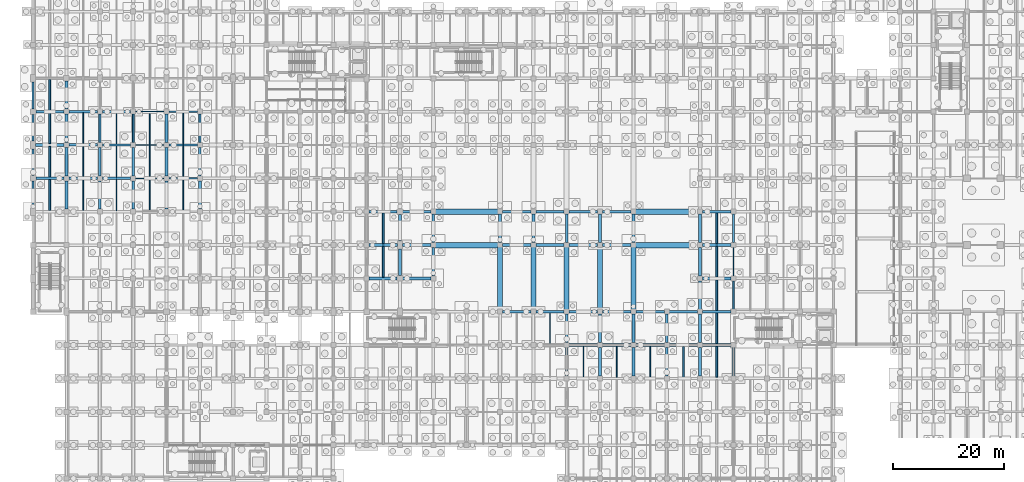
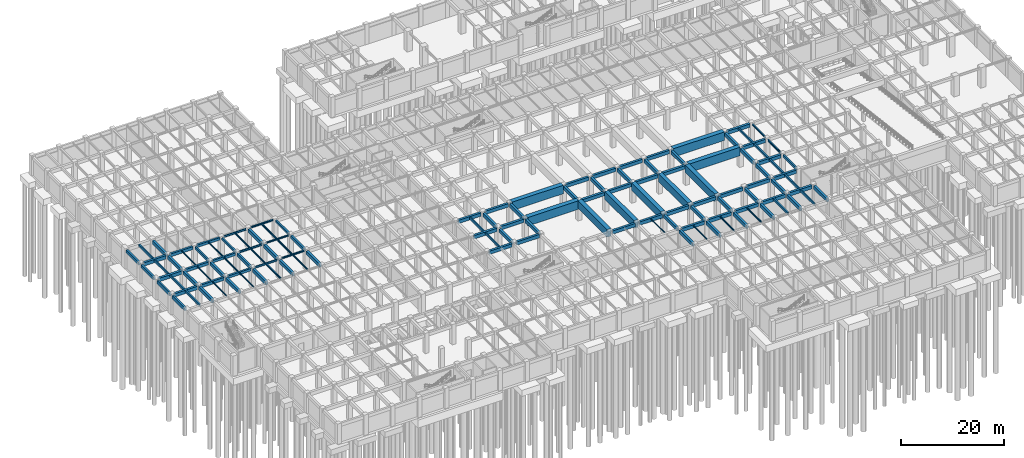
# One storey, part 29 of 54: 127 beams.
"""IFC4 building model written with IfcOpenShell, lengths in metres."""

from ifc_helpers import new_model, si_unit, direction, frame, origin, origin_2d, place, context, subcontext, project, spatial, rectangle, i_section, extrude, material, material_profile, profile_set, type_object, element, save


model = new_model("IFC4")

# Units and contexts
model_context = context("Model", 3, precision=1e-05, world=origin(), true_north=direction((0.0, 1.0)))
body_context = subcontext(model_context, "Body", "Model", "MODEL_VIEW")
ifc_project = project(units=[si_unit("LENGTHUNIT", "METRE"), si_unit("AREAUNIT", "SQUARE_METRE"), si_unit("VOLUMEUNIT", "CUBIC_METRE"), si_unit("PLANEANGLEUNIT", "RADIAN"), si_unit("MASSUNIT", "GRAM", prefix="KILO"), si_unit("THERMODYNAMICTEMPERATUREUNIT", "KELVIN"), si_unit("POWERUNIT", "WATT")], contexts=[model_context])

# Site, building, storey
site_placement = place(None, origin())
site = spatial("IfcSite", under=ifc_project, at=site_placement, CompositionType="ELEMENT")
building_placement = place(site_placement, origin())
building = spatial("IfcBuilding", under=site, at=building_placement, Name="Phaisarnlok Congress Hotel", CompositionType="ELEMENT")
storey_placement = place(building_placement, frame((0.0, 0.0, -4.800048828125)))
storey = spatial("IfcBuildingStorey", under=building, at=storey_placement, Name="B01", CompositionType="ELEMENT", Elevation=-4.800048828125)

# Beams
ifc_material_1 = material(Name="Concrete C40/50", Category="concrete")
ifc_material_profile_1 = material_profile(ifc_material_1, rectangle(XDim=0.35009765625, YDim=0.550048828125, at=origin_2d()), Name="RC 350x550")
ifc_profile_set_1 = profile_set([ifc_material_profile_1], Name="Concrete C40/50")
beam_type_1 = type_object("IfcBeamType", Name="BM-RC-350x550", PredefinedType="BEAM", material=ifc_profile_set_1)
for number, where, z_axis, x_axis, name in (
    (1, (12.0, 72.445068359375, 4.22509765625), (0.0, 1.0, 0.0), (-1.0, 0.0, 0.0), "Beam B-01"),
    (2, (18.0, 72.445068359375, 4.22509765625), (0.0, 1.0, 0.0), (-1.0, 0.0, 0.0), "Beam B-01"),
    (3, (30.0, 72.445068359375, 4.22509765625), (0.0, 1.0, 0.0), (-1.0, 0.0, 0.0), "Beam B-01"),
    (4, (126.0, 42.445068359375, 4.22509765625), (0.0, 1.0, 0.0), (-1.0, 0.0, 0.0), "Beam B-01"),
):
    element("IfcBeam", number, at=place(storey_placement, frame(where, z_axis=z_axis, x_axis=x_axis)), inside=storey, type_object=beam_type_1, Name=name, PredefinedType="BEAM", context=body_context, shape_type="SweptSolid", body=[
        extrude(rectangle(XDim=0.35009765625, YDim=0.550048828125, at=origin_2d()), origin(), (0.0, 0.0, 1.0), 5.10986328125),
    ])
ifc_material_profile_2 = material_profile(ifc_material_1, rectangle(XDim=0.39990234375, YDim=0.60009765625, at=origin_2d()), Name="RC 400x600")
ifc_profile_set_2 = profile_set([ifc_material_profile_2], Name="Concrete C40/50")
beam_type_2 = type_object("IfcBeamType", Name="BM-RC-400x600", PredefinedType="BEAM", material=ifc_profile_set_2)
for number, where, z_axis, x_axis, name in (
    (5, (12.445068359375, 66.0, 4.199951171875), (1.0, 0.0, 0.0), (0.0, 1.0, 0.0), "Beam B-02"),
    (6, (12.445068359375, 72.0, 4.199951171875), (1.0, 0.0, 0.0), (0.0, 1.0, 0.0), "Beam B-02"),
    (7, (12.445068359375, 78.0, 4.199951171875), (1.0, 0.0, 0.0), (0.0, 1.0, 0.0), "Beam B-02"),
):
    element("IfcBeam", number, at=place(storey_placement, frame(where, z_axis=z_axis, x_axis=x_axis)), inside=storey, type_object=beam_type_2, Name=name, PredefinedType="BEAM", context=body_context, shape_type="SweptSolid", body=[
        extrude(rectangle(XDim=0.39990234375, YDim=0.60009765625, at=origin_2d()), origin(), (0.0, 0.0, 1.0), 5.10986328125),
    ])
ifc_material_profile_3 = material_profile(ifc_material_1, rectangle(XDim=0.449951171875, YDim=0.699951171875, at=origin_2d()), Name="RC 450x700")
ifc_profile_set_3 = profile_set([ifc_material_profile_3], Name="Concrete C40/50")
beam_type_3 = type_object("IfcBeamType", Name="BM-RC-450x700", PredefinedType="BEAM", material=ifc_profile_set_3)
for number, where, z_axis, x_axis, name in (
    (8, (6.445068359375, 66.0, 4.150146484375), (1.0, 0.0, 0.0), (0.0, 1.0, 0.0), "Beam B-03"),
    (9, (6.445068359375, 72.0, 4.150146484375), (1.0, 0.0, 0.0), (0.0, 1.0, 0.0), "Beam B-03"),
    (10, (6.445068359375, 78.0, 4.150146484375), (1.0, 0.0, 0.0), (0.0, 1.0, 0.0), "Beam B-03"),
    (11, (12.0, 66.445068359375, 4.150146484375), (0.0, 1.0, 0.0), (-1.0, 0.0, 0.0), "Beam B-03"),
    (12, (18.0, 66.445068359375, 4.150146484375), (0.0, 1.0, 0.0), (-1.0, 0.0, 0.0), "Beam B-03"),
    (13, (30.0, 66.445068359375, 4.150146484375), (0.0, 1.0, 0.0), (-1.0, 0.0, 0.0), "Beam B-03"),
):
    element("IfcBeam", number, at=place(storey_placement, frame(where, z_axis=z_axis, x_axis=x_axis)), inside=storey, type_object=beam_type_3, Name=name, PredefinedType="BEAM", context=body_context, shape_type="SweptSolid", body=[
        extrude(rectangle(XDim=0.449951171875, YDim=0.699951171875, at=origin_2d()), origin(), (0.0, 0.0, 1.0), 5.10986328125),
    ])
ifc_material_profile_4 = material_profile(ifc_material_1, rectangle(XDim=0.5, YDim=0.800048828125, at=origin_2d()), Name="RC 500x800")
ifc_profile_set_4 = profile_set([ifc_material_profile_4], Name="Concrete C40/50")
beam_type_4 = type_object("IfcBeamType", Name="BM-RC-500x800", PredefinedType="BEAM", material=ifc_profile_set_4)
beam_1_placement = place(storey_placement, frame((0.4951171875, 66.0, 4.10009765625), z_axis=(1.0, 0.0, 0.0), x_axis=(0.0, 1.0, 0.0)))
element("IfcBeam", 14, at=beam_1_placement, inside=storey, type_object=beam_type_4, Name="Beam B-04", PredefinedType="BEAM", context=body_context, shape_type="SweptSolid", body=[
    extrude(rectangle(XDim=0.5, YDim=0.800048828125, at=origin_2d()), origin(), (0.0, 0.0, 1.0), 5.059814453125),
])
beam_2_placement = place(storey_placement, frame((0.445068359375, 72.0, 4.10009765625), z_axis=(1.0, 0.0, 0.0), x_axis=(0.0, 1.0, 0.0)))
element("IfcBeam", 15, at=beam_2_placement, inside=storey, type_object=beam_type_4, Name="Beam B-04", PredefinedType="BEAM", context=body_context, shape_type="SweptSolid", body=[
    extrude(rectangle(XDim=0.5, YDim=0.800048828125, at=origin_2d()), origin(), (0.0, 0.0, 1.0), 5.10986328125),
])
beam_3_placement = place(storey_placement, frame((0.4951171875, 78.0, 4.10009765625), z_axis=(1.0, 0.0, 0.0), x_axis=(0.0, 1.0, 0.0)))
element("IfcBeam", 16, at=beam_3_placement, inside=storey, type_object=beam_type_4, Name="Beam B-04", PredefinedType="BEAM", context=body_context, shape_type="SweptSolid", body=[
    extrude(rectangle(XDim=0.5, YDim=0.800048828125, at=origin_2d()), origin(), (0.0, 0.0, 1.0), 5.059814453125),
])
for number, where, z_axis, x_axis, name in (
    (17, (6.0, 60.445068359375, 4.10009765625), (0.0, 1.0, 0.0), (-1.0, 0.0, 0.0), "Beam B-04"),
    (18, (6.0, 66.445068359375, 4.10009765625), (0.0, 1.0, 0.0), (-1.0, 0.0, 0.0), "Beam B-04"),
    (19, (6.0, 72.445068359375, 4.10009765625), (0.0, 1.0, 0.0), (-1.0, 0.0, 0.0), "Beam B-04"),
):
    element("IfcBeam", number, at=place(storey_placement, frame(where, z_axis=z_axis, x_axis=x_axis)), inside=storey, type_object=beam_type_4, Name=name, PredefinedType="BEAM", context=body_context, shape_type="SweptSolid", body=[
        extrude(rectangle(XDim=0.5, YDim=0.800048828125, at=origin_2d()), origin(), (0.0, 0.0, 1.0), 5.10986328125),
    ])
beam_4_placement = place(storey_placement, frame((6.0, 78.445068359375, 4.10009765625), z_axis=(0.0, 1.0, 0.0), x_axis=(-1.0, 0.0, 0.0)))
element("IfcBeam", 20, at=beam_4_placement, inside=storey, type_object=beam_type_4, Name="Beam B-04", PredefinedType="BEAM", context=body_context, shape_type="SweptSolid", body=[
    extrude(rectangle(XDim=0.5, YDim=0.800048828125, at=origin_2d()), origin(), (0.0, 0.0, 1.0), 5.059814453125),
])
for number, where, z_axis, x_axis, name in (
    (21, (12.0, 60.445068359375, 4.10009765625), (0.0, 1.0, 0.0), (-1.0, 0.0, 0.0), "Beam B-04"),
    (22, (18.0, 60.445068359375, 4.10009765625), (0.0, 1.0, 0.0), (-1.0, 0.0, 0.0), "Beam B-04"),
    (23, (24.0, 60.445068359375, 4.10009765625), (0.0, 1.0, 0.0), (-1.0, 0.0, 0.0), "Beam B-04"),
    (24, (24.0, 66.445068359375, 4.10009765625), (0.0, 1.0, 0.0), (-1.0, 0.0, 0.0), "Beam B-04"),
    (25, (24.0, 72.445068359375, 4.10009765625), (0.0, 1.0, 0.0), (-1.0, 0.0, 0.0), "Beam B-04"),
    (26, (30.0, 60.445068359375, 4.10009765625), (0.0, 1.0, 0.0), (-1.0, 0.0, 0.0), "Beam B-04"),
):
    element("IfcBeam", number, at=place(storey_placement, frame(where, z_axis=z_axis, x_axis=x_axis)), inside=storey, type_object=beam_type_4, Name=name, PredefinedType="BEAM", context=body_context, shape_type="SweptSolid", body=[
        extrude(rectangle(XDim=0.5, YDim=0.800048828125, at=origin_2d()), origin(), (0.0, 0.0, 1.0), 5.10986328125),
    ])
beam_5_placement = place(storey_placement, frame((60.445068359375, 48.0, 4.10009765625), z_axis=(1.0, 0.0, 0.0), x_axis=(0.0, 1.0, 0.0)))
element("IfcBeam", 27, at=beam_5_placement, inside=storey, type_object=beam_type_4, Name="Beam B-04", PredefinedType="BEAM", context=body_context, shape_type="SweptSolid", body=[
    extrude(rectangle(XDim=0.5, YDim=0.800048828125, at=origin_2d()), origin(), (0.0, 0.0, 1.0), 5.059814453125),
])
beam_6_placement = place(storey_placement, frame((60.445068359375, 54.0, 4.10009765625), z_axis=(1.0, 0.0, 0.0), x_axis=(0.0, 1.0, 0.0)))
element("IfcBeam", 28, at=beam_6_placement, inside=storey, type_object=beam_type_4, Name="Beam B-04", PredefinedType="BEAM", context=body_context, shape_type="SweptSolid", body=[
    extrude(rectangle(XDim=0.5, YDim=0.800048828125, at=origin_2d()), origin(), (0.0, 0.0, 1.0), 5.10986328125),
])
for number, where, z_axis, x_axis, name in (
    (29, (60.445068359375, 60.0, 4.10009765625), (1.0, 0.0, 0.0), (0.0, 1.0, 0.0), "Beam B-04"),
    (30, (66.4951171875, 48.0, 4.150146484375), (1.0, 0.0, 0.0), (0.0, 1.0, 0.0), "Beam B-04"),
):
    element("IfcBeam", number, at=place(storey_placement, frame(where, z_axis=z_axis, x_axis=x_axis)), inside=storey, type_object=beam_type_4, Name=name, PredefinedType="BEAM", context=body_context, shape_type="SweptSolid", body=[
        extrude(rectangle(XDim=0.5, YDim=0.800048828125, at=origin_2d()), origin(), (0.0, 0.0, 1.0), 5.059814453125),
    ])
beam_7_placement = place(storey_placement, frame((66.0, 48.4951171875, 4.10009765625), z_axis=(0.0, 1.0, 0.0), x_axis=(-1.0, 0.0, 0.0)))
element("IfcBeam", 31, at=beam_7_placement, inside=storey, type_object=beam_type_4, Name="Beam B-04", PredefinedType="BEAM", context=body_context, shape_type="SweptSolid", body=[
    extrude(rectangle(XDim=0.5, YDim=0.800048828125, at=origin_2d()), origin(), (0.0, 0.0, 1.0), 4.809814453125),
])
beam_8_placement = place(storey_placement, frame((66.445068359375, 54.0, 4.150146484375), z_axis=(1.0, 0.0, 0.0), x_axis=(0.0, 1.0, 0.0)))
element("IfcBeam", 32, at=beam_8_placement, inside=storey, type_object=beam_type_4, Name="Beam B-04", PredefinedType="BEAM", context=body_context, shape_type="SweptSolid", body=[
    extrude(rectangle(XDim=0.5, YDim=0.800048828125, at=origin_2d()), origin(), (0.0, 0.0, 1.0), 5.10986328125),
])
beam_9_placement = place(storey_placement, frame((66.0, 54.695068359375, 4.10009765625), z_axis=(0.0, 1.0, 0.0), x_axis=(-1.0, 0.0, 0.0)))
element("IfcBeam", 33, at=beam_9_placement, inside=storey, type_object=beam_type_4, Name="Beam B-04", PredefinedType="BEAM", context=body_context, shape_type="SweptSolid", body=[
    extrude(rectangle(XDim=0.5, YDim=0.800048828125, at=origin_2d()), origin(), (0.0, 0.0, 1.0), 4.809814453125),
])
beam_10_placement = place(storey_placement, frame((66.4951171875, 60.0, 4.150146484375), z_axis=(1.0, 0.0, 0.0), x_axis=(0.0, 1.0, 0.0)))
element("IfcBeam", 34, at=beam_10_placement, inside=storey, type_object=beam_type_4, Name="Beam B-04", PredefinedType="BEAM", context=body_context, shape_type="SweptSolid", body=[
    extrude(rectangle(XDim=0.5, YDim=0.800048828125, at=origin_2d()), origin(), (0.0, 0.0, 1.0), 5.059814453125),
])
for number, where, z_axis, x_axis, name in (
    (35, (72.0, 48.445068359375, 4.150146484375), (0.0, 1.0, 0.0), (-1.0, 0.0, 0.0), "Beam B-04"),
    (36, (72.0, 54.445068359375, 4.150146484375), (0.0, 1.0, 0.0), (-1.0, 0.0, 0.0), "Beam B-04"),
    (37, (84.445068359375, 42.0, 4.10009765625), (1.0, 0.0, 0.0), (0.0, 1.0, 0.0), "Beam B-04"),
    (38, (84.445068359375, 54.0, 4.150146484375), (1.0, 0.0, 0.0), (0.0, 1.0, 0.0), "Beam B-04"),
    (39, (84.0, 54.445068359375, 4.150146484375), (0.0, 1.0, 0.0), (-1.0, 0.0, 0.0), "Beam B-04"),
    (40, (84.445068359375, 60.0, 4.150146484375), (1.0, 0.0, 0.0), (0.0, 1.0, 0.0), "Beam B-04"),
    (41, (90.445068359375, 42.0, 4.10009765625), (1.0, 0.0, 0.0), (0.0, 1.0, 0.0), "Beam B-04"),
    (42, (90.445068359375, 54.0, 4.150146484375), (1.0, 0.0, 0.0), (0.0, 1.0, 0.0), "Beam B-04"),
    (43, (90.0, 54.445068359375, 4.150146484375), (0.0, 1.0, 0.0), (-1.0, 0.0, 0.0), "Beam B-04"),
    (44, (90.445068359375, 60.0, 4.150146484375), (1.0, 0.0, 0.0), (0.0, 1.0, 0.0), "Beam B-04"),
    (45, (96.0, 30.445068359375, 4.10009765625), (0.0, 1.0, 0.0), (-1.0, 0.0, 0.0), "Beam B-04"),
    (46, (96.445068359375, 36.0, 4.10009765625), (1.0, 0.0, 0.0), (0.0, 1.0, 0.0), "Beam B-04"),
    (47, (96.0, 36.445068359375, 4.10009765625), (0.0, 1.0, 0.0), (-1.0, 0.0, 0.0), "Beam B-04"),
    (48, (96.445068359375, 42.0, 4.150146484375), (1.0, 0.0, 0.0), (0.0, 1.0, 0.0), "Beam B-04"),
    (49, (96.445068359375, 54.0, 4.150146484375), (1.0, 0.0, 0.0), (0.0, 1.0, 0.0), "Beam B-04"),
    (50, (96.0, 54.445068359375, 4.150146484375), (0.0, 1.0, 0.0), (-1.0, 0.0, 0.0), "Beam B-04"),
    (51, (96.445068359375, 60.0, 4.150146484375), (1.0, 0.0, 0.0), (0.0, 1.0, 0.0), "Beam B-04"),
    (52, (102.0, 30.445068359375, 4.10009765625), (0.0, 1.0, 0.0), (-1.0, 0.0, 0.0), "Beam B-04"),
    (53, (102.445068359375, 36.0, 4.10009765625), (1.0, 0.0, 0.0), (0.0, 1.0, 0.0), "Beam B-04"),
    (54, (102.0, 36.445068359375, 4.150146484375), (0.0, 1.0, 0.0), (-1.0, 0.0, 0.0), "Beam B-04"),
    (55, (102.445068359375, 42.0, 4.150146484375), (1.0, 0.0, 0.0), (0.0, 1.0, 0.0), "Beam B-04"),
    (56, (102.445068359375, 54.0, 4.150146484375), (1.0, 0.0, 0.0), (0.0, 1.0, 0.0), "Beam B-04"),
    (57, (102.0, 54.445068359375, 4.150146484375), (0.0, 1.0, 0.0), (-1.0, 0.0, 0.0), "Beam B-04"),
    (58, (102.445068359375, 60.0, 4.150146484375), (1.0, 0.0, 0.0), (0.0, 1.0, 0.0), "Beam B-04"),
    (59, (108.0, 30.445068359375, 4.10009765625), (0.0, 1.0, 0.0), (-1.0, 0.0, 0.0), "Beam B-04"),
    (60, (108.445068359375, 36.0, 4.10009765625), (1.0, 0.0, 0.0), (0.0, 1.0, 0.0), "Beam B-04"),
    (61, (108.0, 36.445068359375, 4.150146484375), (0.0, 1.0, 0.0), (-1.0, 0.0, 0.0), "Beam B-04"),
    (62, (108.445068359375, 42.0, 4.150146484375), (1.0, 0.0, 0.0), (0.0, 1.0, 0.0), "Beam B-04"),
    (63, (108.0, 54.445068359375, 4.150146484375), (0.0, 1.0, 0.0), (-1.0, 0.0, 0.0), "Beam B-04"),
    (64, (114.0, 30.445068359375, 4.10009765625), (0.0, 1.0, 0.0), (-1.0, 0.0, 0.0), "Beam B-04"),
    (65, (114.445068359375, 36.0, 4.10009765625), (1.0, 0.0, 0.0), (0.0, 1.0, 0.0), "Beam B-04"),
    (66, (114.0, 36.445068359375, 4.150146484375), (0.0, 1.0, 0.0), (-1.0, 0.0, 0.0), "Beam B-04"),
    (67, (114.445068359375, 42.0, 4.150146484375), (1.0, 0.0, 0.0), (0.0, 1.0, 0.0), "Beam B-04"),
    (68, (120.0, 30.445068359375, 4.10009765625), (0.0, 1.0, 0.0), (-1.0, 0.0, 0.0), "Beam B-04"),
    (69, (120.445068359375, 36.0, 4.10009765625), (1.0, 0.0, 0.0), (0.0, 1.0, 0.0), "Beam B-04"),
    (70, (120.0, 36.445068359375, 4.10009765625), (0.0, 1.0, 0.0), (-1.0, 0.0, 0.0), "Beam B-04"),
    (71, (120.445068359375, 42.0, 4.10009765625), (1.0, 0.0, 0.0), (0.0, 1.0, 0.0), "Beam B-04"),
    (72, (120.0, 42.445068359375, 4.10009765625), (0.0, 1.0, 0.0), (-1.0, 0.0, 0.0), "Beam B-04"),
    (73, (120.445068359375, 48.0, 4.10009765625), (1.0, 0.0, 0.0), (0.0, 1.0, 0.0), "Beam B-04"),
    (74, (120.0, 48.445068359375, 4.10009765625), (0.0, 1.0, 0.0), (-1.0, 0.0, 0.0), "Beam B-04"),
    (75, (120.445068359375, 54.0, 4.10009765625), (1.0, 0.0, 0.0), (0.0, 1.0, 0.0), "Beam B-04"),
    (76, (120.0, 54.445068359375, 4.10009765625), (0.0, 1.0, 0.0), (-1.0, 0.0, 0.0), "Beam B-04"),
    (77, (120.445068359375, 60.0, 4.10009765625), (1.0, 0.0, 0.0), (0.0, 1.0, 0.0), "Beam B-04"),
    (78, (126.0, 30.445068359375, 4.10009765625), (0.0, 1.0, 0.0), (-1.0, 0.0, 0.0), "Beam B-04"),
):
    element("IfcBeam", number, at=place(storey_placement, frame(where, z_axis=z_axis, x_axis=x_axis)), inside=storey, type_object=beam_type_4, Name=name, PredefinedType="BEAM", context=body_context, shape_type="SweptSolid", body=[
        extrude(rectangle(XDim=0.5, YDim=0.800048828125, at=origin_2d()), origin(), (0.0, 0.0, 1.0), 5.10986328125),
    ])
ifc_material_2 = material(Name="Steel S355", Category="steel")
ifc_material_profile_5 = material_profile(ifc_material_2, i_section(OverallWidth=0.300048828125, OverallDepth=0.2900390625, WebThickness=0.008544921875, FlangeThickness=0.013916015625, FilletRadius=0.027099609375, at=origin_2d()), Name="HEA 300")
ifc_profile_set_5 = profile_set([ifc_material_profile_5], Name="Steel S355")
beam_type_5 = type_object("IfcBeamType", Name="BM-STL-HEA300", PredefinedType="BEAM", material=ifc_profile_set_5)
for number, where, z_axis, x_axis, name in (
    (79, (24.445068359375, 66.0, 4.35498046875), (1.0, 0.0, 0.0), (0.0, 1.0, 0.0), "Beam SB-05"),
    (80, (24.445068359375, 72.0, 4.35498046875), (1.0, 0.0, 0.0), (0.0, 1.0, 0.0), "Beam SB-05"),
    (81, (24.445068359375, 78.0, 4.35498046875), (1.0, 0.0, 0.0), (0.0, 1.0, 0.0), "Beam SB-05"),
):
    element("IfcBeam", number, at=place(storey_placement, frame(where, z_axis=z_axis, x_axis=x_axis)), inside=storey, type_object=beam_type_5, Name=name, PredefinedType="BEAM", context=body_context, shape_type="SweptSolid", body=[
        extrude(i_section(OverallWidth=0.300048828125, OverallDepth=0.2900390625, WebThickness=0.008544921875, FlangeThickness=0.013916015625, FilletRadius=0.027099609375, at=origin_2d()), origin(), (0.0, 0.0, 1.0), 5.10986328125),
    ])
ifc_material_profile_6 = material_profile(ifc_material_2, i_section(OverallWidth=0.300048828125, OverallDepth=0.340087890625, WebThickness=0.011962890625, FlangeThickness=0.021484375, FilletRadius=0.027099609375, at=origin_2d()), Name="HEB 340")
ifc_profile_set_6 = profile_set([ifc_material_profile_6], Name="Steel S355")
beam_type_6 = type_object("IfcBeamType", Name="BM-STL-HEB340", PredefinedType="BEAM", material=ifc_profile_set_6)
beam_11_placement = place(storey_placement, frame((126.0, 54.445068359375, 4.330078125), z_axis=(0.0, 1.0, 0.0), x_axis=(-1.0, 0.0, 0.0)))
element("IfcBeam", 82, at=beam_11_placement, inside=storey, type_object=beam_type_6, Name="Beam SB-07", PredefinedType="BEAM", context=body_context, shape_type="SweptSolid", body=[
    extrude(i_section(OverallWidth=0.300048828125, OverallDepth=0.340087890625, WebThickness=0.011962890625, FlangeThickness=0.021484375, FilletRadius=0.027099609375, at=origin_2d()), origin(), (0.0, 0.0, 1.0), 5.10986328125),
])
ifc_material_profile_7 = material_profile(ifc_material_2, i_section(OverallWidth=0.18994140625, OverallDepth=0.449951171875, WebThickness=0.009521484375, FlangeThickness=0.0146484375, FilletRadius=0.02099609375, at=origin_2d()), Name="IPE 450")
ifc_profile_set_7 = profile_set([ifc_material_profile_7], Name="Steel S355")
beam_type_7 = type_object("IfcBeamType", Name="BM-STL-IPE450", PredefinedType="BEAM", material=ifc_profile_set_7)
for number, where, z_axis, x_axis, name in (
    (83, (18.445068359375, 66.0, 4.275146484375), (1.0, 0.0, 0.0), (0.0, 1.0, 0.0), "Beam SB-01"),
    (84, (18.445068359375, 72.0, 4.275146484375), (1.0, 0.0, 0.0), (0.0, 1.0, 0.0), "Beam SB-01"),
    (85, (18.445068359375, 78.0, 4.275146484375), (1.0, 0.0, 0.0), (0.0, 1.0, 0.0), "Beam SB-01"),
):
    element("IfcBeam", number, at=place(storey_placement, frame(where, z_axis=z_axis, x_axis=x_axis)), inside=storey, type_object=beam_type_7, Name=name, PredefinedType="BEAM", context=body_context, shape_type="SweptSolid", body=[
        extrude(i_section(OverallWidth=0.18994140625, OverallDepth=0.449951171875, WebThickness=0.009521484375, FlangeThickness=0.0146484375, FilletRadius=0.02099609375, at=origin_2d()), origin(), (0.0, 0.0, 1.0), 5.10986328125),
    ])
ifc_material_profile_8 = material_profile(ifc_material_2, i_section(OverallWidth=0.199951171875, OverallDepth=0.5, WebThickness=0.01025390625, FlangeThickness=0.01611328125, FilletRadius=0.02099609375, at=origin_2d()), Name="IPE 500")
ifc_profile_set_8 = profile_set([ifc_material_profile_8], Name="Steel S355")
beam_type_8 = type_object("IfcBeamType", Name="BM-STL-IPE500", PredefinedType="BEAM", material=ifc_profile_set_8)
beam_12_placement = place(storey_placement, frame((126.0, 48.445068359375, 4.25), z_axis=(0.0, 1.0, 0.0), x_axis=(-1.0, 0.0, 0.0)))
element("IfcBeam", 86, at=beam_12_placement, inside=storey, type_object=beam_type_8, Name="Beam SB-02", PredefinedType="BEAM", context=body_context, shape_type="SweptSolid", body=[
    extrude(i_section(OverallWidth=0.199951171875, OverallDepth=0.5, WebThickness=0.01025390625, FlangeThickness=0.01611328125, FilletRadius=0.02099609375, at=origin_2d()), origin(), (0.0, 0.0, 1.0), 5.10986328125),
])
ifc_material_profile_9 = material_profile(ifc_material_1, rectangle(XDim=0.300048828125, YDim=0.5, at=origin_2d()), Name="RC 300x500")
ifc_profile_set_9 = profile_set([ifc_material_profile_9], Name="Concrete C40/50")
beam_type_9 = type_object("IfcBeamType", Name="JS-RC-300x500", PredefinedType="JOIST", material=ifc_profile_set_9)
for number, where, z_axis, x_axis, name in (
    (87, (3.0, 60.2451171875, 4.25), (0.0, 1.0, 0.0), (-1.0, 0.0, 0.0), "Secondary floor joist J-01"),
    (88, (3.0, 66.2451171875, 4.25), (0.0, 1.0, 0.0), (-1.0, 0.0, 0.0), "Secondary floor joist J-01"),
    (89, (3.0, 72.2451171875, 4.25), (0.0, 1.0, 0.0), (-1.0, 0.0, 0.0), "Secondary floor joist J-01"),
    (90, (3.0, 78.2451171875, 4.25), (0.0, 1.0, 0.0), (-1.0, 0.0, 0.0), "Secondary floor joist J-01"),
    (91, (63.0, 48.2451171875, 4.25), (0.0, 1.0, 0.0), (-1.0, 0.0, 0.0), "Secondary floor joist J-01"),
    (92, (63.0, 54.2451171875, 4.25), (0.0, 1.0, 0.0), (-1.0, 0.0, 0.0), "Secondary floor joist J-01"),
):
    element("IfcBeam", number, at=place(storey_placement, frame(where, z_axis=z_axis, x_axis=x_axis)), inside=storey, type_object=beam_type_9, Name=name, PredefinedType="JOIST", context=body_context, shape_type="SweptSolid", body=[
        extrude(rectangle(XDim=0.300048828125, YDim=0.5, at=origin_2d()), origin(), (0.0, 0.0, 1.0), 5.509765625),
    ])
beam_13_placement = place(storey_placement, frame((117.0, 30.14501953125, 4.25), z_axis=(0.0, 1.0, 0.0), x_axis=(-1.0, 0.0, 0.0)))
element("IfcBeam", 93, at=beam_13_placement, inside=storey, type_object=beam_type_9, Name="Secondary floor joist J-01", PredefinedType="JOIST", context=body_context, shape_type="SweptSolid", body=[
    extrude(rectangle(XDim=0.300048828125, YDim=0.5, at=origin_2d()), origin(), (0.0, 0.0, 1.0), 5.60986328125),
])
for number, where, z_axis, x_axis, name in (
    (94, (123.0, 30.2451171875, 4.25), (0.0, 1.0, 0.0), (-1.0, 0.0, 0.0), "Secondary floor joist J-01"),
    (95, (123.0, 36.2451171875, 4.25), (0.0, 1.0, 0.0), (-1.0, 0.0, 0.0), "Secondary floor joist J-01"),
    (96, (123.0, 42.2451171875, 4.25), (0.0, 1.0, 0.0), (-1.0, 0.0, 0.0), "Secondary floor joist J-01"),
    (97, (123.0, 48.2451171875, 4.25), (0.0, 1.0, 0.0), (-1.0, 0.0, 0.0), "Secondary floor joist J-01"),
    (98, (123.0, 54.2451171875, 4.25), (0.0, 1.0, 0.0), (-1.0, 0.0, 0.0), "Secondary floor joist J-01"),
):
    element("IfcBeam", number, at=place(storey_placement, frame(where, z_axis=z_axis, x_axis=x_axis)), inside=storey, type_object=beam_type_9, Name=name, PredefinedType="JOIST", context=body_context, shape_type="SweptSolid", body=[
        extrude(rectangle(XDim=0.300048828125, YDim=0.5, at=origin_2d()), origin(), (0.0, 0.0, 1.0), 5.509765625),
    ])
ifc_material_profile_10 = material_profile(ifc_material_2, i_section(OverallWidth=0.135009765625, OverallDepth=0.27001953125, WebThickness=0.006591796875, FlangeThickness=0.01025390625, FilletRadius=0.014892578125, at=origin_2d()), Name="IPE 270")
ifc_profile_set_10 = profile_set([ifc_material_profile_10], Name="Steel S355")
beam_type_10 = type_object("IfcBeamType", Name="JS-STL-IPE270", PredefinedType="JOIST", material=ifc_profile_set_10)
beam_14_placement = place(storey_placement, frame((93.0, 36.2451171875, 4.364990234375), z_axis=(0.0, 1.0, 0.0), x_axis=(-1.0, 0.0, 0.0)))
element("IfcBeam", 99, at=beam_14_placement, inside=storey, type_object=beam_type_10, Name="Secondary floor joist J-02", PredefinedType="JOIST", context=body_context, shape_type="SweptSolid", body=[
    extrude(i_section(OverallWidth=0.135009765625, OverallDepth=0.27001953125, WebThickness=0.006591796875, FlangeThickness=0.01025390625, FilletRadius=0.014892578125, at=origin_2d()), origin(), (0.0, 0.0, 1.0), 5.509765625),
])
beam_15_placement = place(storey_placement, frame((99.0, 30.219970703125, 4.364990234375), z_axis=(0.0, 1.0, 0.0), x_axis=(-1.0, 0.0, 0.0)))
element("IfcBeam", 100, at=beam_15_placement, inside=storey, type_object=beam_type_10, Name="Secondary floor joist J-02", PredefinedType="JOIST", context=body_context, shape_type="SweptSolid", body=[
    extrude(i_section(OverallWidth=0.135009765625, OverallDepth=0.27001953125, WebThickness=0.006591796875, FlangeThickness=0.01025390625, FilletRadius=0.014892578125, at=origin_2d()), origin(), (0.0, 0.0, 1.0), 5.534912109375),
])
ifc_material_profile_11 = material_profile(ifc_material_2, i_section(OverallWidth=0.14990234375, OverallDepth=0.300048828125, WebThickness=0.007080078125, FlangeThickness=0.0107421875, FilletRadius=0.014892578125, at=origin_2d()), Name="IPE 300")
ifc_profile_set_11 = profile_set([ifc_material_profile_11], Name="Steel S355")
beam_type_11 = type_object("IfcBeamType", Name="JS-STL-IPE300", PredefinedType="JOIST", material=ifc_profile_set_11)
for number, where, z_axis, x_axis, name in (
    (101, (9.0, 60.219970703125, 4.35009765625), (0.0, 1.0, 0.0), (-1.0, 0.0, 0.0), "Secondary floor joist J-03"),
    (102, (9.0, 66.219970703125, 4.35009765625), (0.0, 1.0, 0.0), (-1.0, 0.0, 0.0), "Secondary floor joist J-03"),
    (103, (9.0, 72.219970703125, 4.35009765625), (0.0, 1.0, 0.0), (-1.0, 0.0, 0.0), "Secondary floor joist J-03"),
):
    element("IfcBeam", number, at=place(storey_placement, frame(where, z_axis=z_axis, x_axis=x_axis)), inside=storey, type_object=beam_type_11, Name=name, PredefinedType="JOIST", context=body_context, shape_type="SweptSolid", body=[
        extrude(i_section(OverallWidth=0.14990234375, OverallDepth=0.300048828125, WebThickness=0.007080078125, FlangeThickness=0.0107421875, FilletRadius=0.014892578125, at=origin_2d()), origin(), (0.0, 0.0, 1.0), 5.56005859375),
    ])
for number, where, z_axis, x_axis, name in (
    (104, (15.0, 60.195068359375, 4.35009765625), (0.0, 1.0, 0.0), (-1.0, 0.0, 0.0), "Secondary floor joist J-03"),
    (105, (15.0, 66.195068359375, 4.35009765625), (0.0, 1.0, 0.0), (-1.0, 0.0, 0.0), "Secondary floor joist J-03"),
    (106, (15.0, 72.195068359375, 4.35009765625), (0.0, 1.0, 0.0), (-1.0, 0.0, 0.0), "Secondary floor joist J-03"),
):
    element("IfcBeam", number, at=place(storey_placement, frame(where, z_axis=z_axis, x_axis=x_axis)), inside=storey, type_object=beam_type_11, Name=name, PredefinedType="JOIST", context=body_context, shape_type="SweptSolid", body=[
        extrude(i_section(OverallWidth=0.14990234375, OverallDepth=0.300048828125, WebThickness=0.007080078125, FlangeThickness=0.0107421875, FilletRadius=0.014892578125, at=origin_2d()), origin(), (0.0, 0.0, 1.0), 5.60986328125),
    ])
ifc_material_profile_12 = material_profile(ifc_material_2, i_section(OverallWidth=0.169921875, OverallDepth=0.360107421875, WebThickness=0.008056640625, FlangeThickness=0.0126953125, FilletRadius=0.01806640625, at=origin_2d()), Name="IPE 360")
ifc_profile_set_12 = profile_set([ifc_material_profile_12], Name="Steel S355")
beam_type_12 = type_object("IfcBeamType", Name="JS-STL-IPE360", PredefinedType="JOIST", material=ifc_profile_set_12)
beam_16_placement = place(storey_placement, frame((105.0, 30.195068359375, 4.320068359375), z_axis=(0.0, 1.0, 0.0), x_axis=(-1.0, 0.0, 0.0)))
element("IfcBeam", 107, at=beam_16_placement, inside=storey, type_object=beam_type_12, Name="Secondary floor joist J-04", PredefinedType="JOIST", context=body_context, shape_type="SweptSolid", body=[
    extrude(i_section(OverallWidth=0.169921875, OverallDepth=0.360107421875, WebThickness=0.008056640625, FlangeThickness=0.0126953125, FilletRadius=0.01806640625, at=origin_2d()), origin(), (0.0, 0.0, 1.0), 5.559814453125),
])
beam_17_placement = place(storey_placement, frame((111.0, 30.090087890625, 4.320068359375), z_axis=(0.0, 1.0, 0.0), x_axis=(-1.0, 0.0, 0.0)))
element("IfcBeam", 108, at=beam_17_placement, inside=storey, type_object=beam_type_12, Name="Secondary floor joist J-04", PredefinedType="JOIST", context=body_context, shape_type="SweptSolid", body=[
    extrude(i_section(OverallWidth=0.169921875, OverallDepth=0.360107421875, WebThickness=0.008056640625, FlangeThickness=0.0126953125, FilletRadius=0.01806640625, at=origin_2d()), origin(), (0.0, 0.0, 1.0), 5.664794921875),
])
ifc_material_profile_13 = material_profile(ifc_material_2, i_section(OverallWidth=0.179931640625, OverallDepth=0.39990234375, WebThickness=0.008544921875, FlangeThickness=0.013427734375, FilletRadius=0.02099609375, at=origin_2d()), Name="IPE 400")
ifc_profile_set_13 = profile_set([ifc_material_profile_13], Name="Steel S355")
beam_type_13 = type_object("IfcBeamType", Name="JS-STL-IPE400", PredefinedType="JOIST", material=ifc_profile_set_13)
for number, where, z_axis, x_axis, name in (
    (109, (21.0, 60.090087890625, 4.300048828125), (0.0, 1.0, 0.0), (-1.0, 0.0, 0.0), "Secondary floor joist J-05"),
    (110, (21.0, 66.090087890625, 4.300048828125), (0.0, 1.0, 0.0), (-1.0, 0.0, 0.0), "Secondary floor joist J-05"),
    (111, (21.0, 72.090087890625, 4.300048828125), (0.0, 1.0, 0.0), (-1.0, 0.0, 0.0), "Secondary floor joist J-05"),
):
    element("IfcBeam", number, at=place(storey_placement, frame(where, z_axis=z_axis, x_axis=x_axis)), inside=storey, type_object=beam_type_13, Name=name, PredefinedType="JOIST", context=body_context, shape_type="SweptSolid", body=[
        extrude(i_section(OverallWidth=0.179931640625, OverallDepth=0.39990234375, WebThickness=0.008544921875, FlangeThickness=0.013427734375, FilletRadius=0.02099609375, at=origin_2d()), origin(), (0.0, 0.0, 1.0), 5.81982421875),
    ])
for number, where, z_axis, x_axis, name in (
    (112, (27.0, 60.14501953125, 4.300048828125), (0.0, 1.0, 0.0), (-1.0, 0.0, 0.0), "Secondary floor joist J-05"),
    (113, (27.0, 66.14501953125, 4.300048828125), (0.0, 1.0, 0.0), (-1.0, 0.0, 0.0), "Secondary floor joist J-05"),
    (114, (27.0, 72.14501953125, 4.300048828125), (0.0, 1.0, 0.0), (-1.0, 0.0, 0.0), "Secondary floor joist J-05"),
):
    element("IfcBeam", number, at=place(storey_placement, frame(where, z_axis=z_axis, x_axis=x_axis)), inside=storey, type_object=beam_type_13, Name=name, PredefinedType="JOIST", context=body_context, shape_type="SweptSolid", body=[
        extrude(i_section(OverallWidth=0.179931640625, OverallDepth=0.39990234375, WebThickness=0.008544921875, FlangeThickness=0.013427734375, FilletRadius=0.02099609375, at=origin_2d()), origin(), (0.0, 0.0, 1.0), 5.7099609375),
    ])
ifc_material_profile_14 = material_profile(ifc_material_1, rectangle(XDim=0.39990234375, YDim=0.75, at=origin_2d()), Name="RC 400x750")
ifc_profile_set_14 = profile_set([ifc_material_profile_14], Name="Concrete C40/50")
beam_type_14 = type_object("IfcBeamType", Name="SP-RC-400x750", PredefinedType="SPANDREL", material=ifc_profile_set_14)
for number, where, z_axis, x_axis, name in (
    (115, (0.0, 60.695068359375, 4.125), (0.0, 1.0, 0.0), (-1.0, 0.0, 0.0), "Beam SP-02"),
    (116, (0.0, 66.4951171875, 4.125), (0.0, 1.0, 0.0), (-1.0, 0.0, 0.0), "Beam SP-02"),
    (117, (0.0, 72.695068359375, 4.125), (0.0, 1.0, 0.0), (-1.0, 0.0, 0.0), "Beam SP-02"),
    (118, (0.0, 78.4951171875, 4.125), (0.0, 1.0, 0.0), (-1.0, 0.0, 0.0), "Beam SP-02"),
):
    element("IfcBeam", number, at=place(storey_placement, frame(where, z_axis=z_axis, x_axis=x_axis)), inside=storey, type_object=beam_type_14, Name=name, PredefinedType="SPANDREL", context=body_context, shape_type="SweptSolid", body=[
        extrude(rectangle(XDim=0.39990234375, YDim=0.75, at=origin_2d()), origin(), (0.0, 0.0, 1.0), 4.809814453125),
    ])
ifc_material_3 = material(Name="Concrete C50/60", Category="concrete")
ifc_material_profile_15 = material_profile(ifc_material_3, rectangle(XDim=1.0, YDim=2.0, at=origin_2d()), Name="RC 1000x2000")
ifc_profile_set_15 = profile_set([ifc_material_profile_15], Name="Concrete C50/60")
beam_type_15 = type_object("IfcBeamType", Name="TG-RC-1000x2000", PredefinedType="BEAM", material=ifc_profile_set_15)
for number, where, z_axis, x_axis, name in (
    (119, (72.300048828125, 54.0, 3.800048828125), (1.0, 0.0, 0.0), (0.0, 1.0, 0.0), "Car-park loop 12m transfer girder TG-01"),
    (120, (108.300048828125, 54.0, 3.800048828125), (1.0, 0.0, 0.0), (0.0, 1.0, 0.0), "Car-park loop 12m transfer girder TG-01"),
    (121, (72.300048828125, 60.0, 3.800048828125), (1.0, 0.0, 0.0), (0.0, 1.0, 0.0), "Car-park loop 12m transfer girder TG-01"),
    (122, (108.300048828125, 60.0, 3.800048828125), (1.0, 0.0, 0.0), (0.0, 1.0, 0.0), "Car-park loop 12m transfer girder TG-01"),
):
    element("IfcBeam", number, at=place(storey_placement, frame(where, z_axis=z_axis, x_axis=x_axis)), inside=storey, type_object=beam_type_15, Name=name, PredefinedType="BEAM", context=body_context, shape_type="SweptSolid", body=[
        extrude(rectangle(XDim=1.0, YDim=2.0, at=origin_2d()), origin(), (0.0, 0.0, 1.0), 11.39990234375),
    ])
ifc_material_profile_16 = material_profile(ifc_material_3, rectangle(XDim=0.89990234375, YDim=1.800048828125, at=origin_2d()), Name="RC 900x1800")
ifc_profile_set_16 = profile_set([ifc_material_profile_16], Name="Concrete C50/60")
beam_type_16 = type_object("IfcBeamType", Name="TG-RC-900x1800", PredefinedType="BEAM", material=ifc_profile_set_16)
for number, where, z_axis, x_axis, name in (
    (123, (84.0, 42.300048828125, 3.900146484375), (0.0, 1.0, 0.0), (-1.0, 0.0, 0.0), "Car-park loop 12m transfer girder TG-03"),
    (124, (90.0, 42.300048828125, 3.900146484375), (0.0, 1.0, 0.0), (-1.0, 0.0, 0.0), "Car-park loop 12m transfer girder TG-03"),
    (125, (96.0, 42.300048828125, 3.900146484375), (0.0, 1.0, 0.0), (-1.0, 0.0, 0.0), "Car-park loop 12m transfer girder TG-03"),
    (126, (102.0, 42.300048828125, 3.900146484375), (0.0, 1.0, 0.0), (-1.0, 0.0, 0.0), "Car-park loop 12m transfer girder TG-03"),
    (127, (108.0, 42.300048828125, 3.900146484375), (0.0, 1.0, 0.0), (-1.0, 0.0, 0.0), "Car-park loop 12m transfer girder TG-03"),
):
    element("IfcBeam", number, at=place(storey_placement, frame(where, z_axis=z_axis, x_axis=x_axis)), inside=storey, type_object=beam_type_16, Name=name, PredefinedType="BEAM", context=body_context, shape_type="SweptSolid", body=[
        extrude(rectangle(XDim=0.89990234375, YDim=1.800048828125, at=origin_2d()), origin(), (0.0, 0.0, 1.0), 11.39990234375),
    ])

save(model, "model.ifc")
